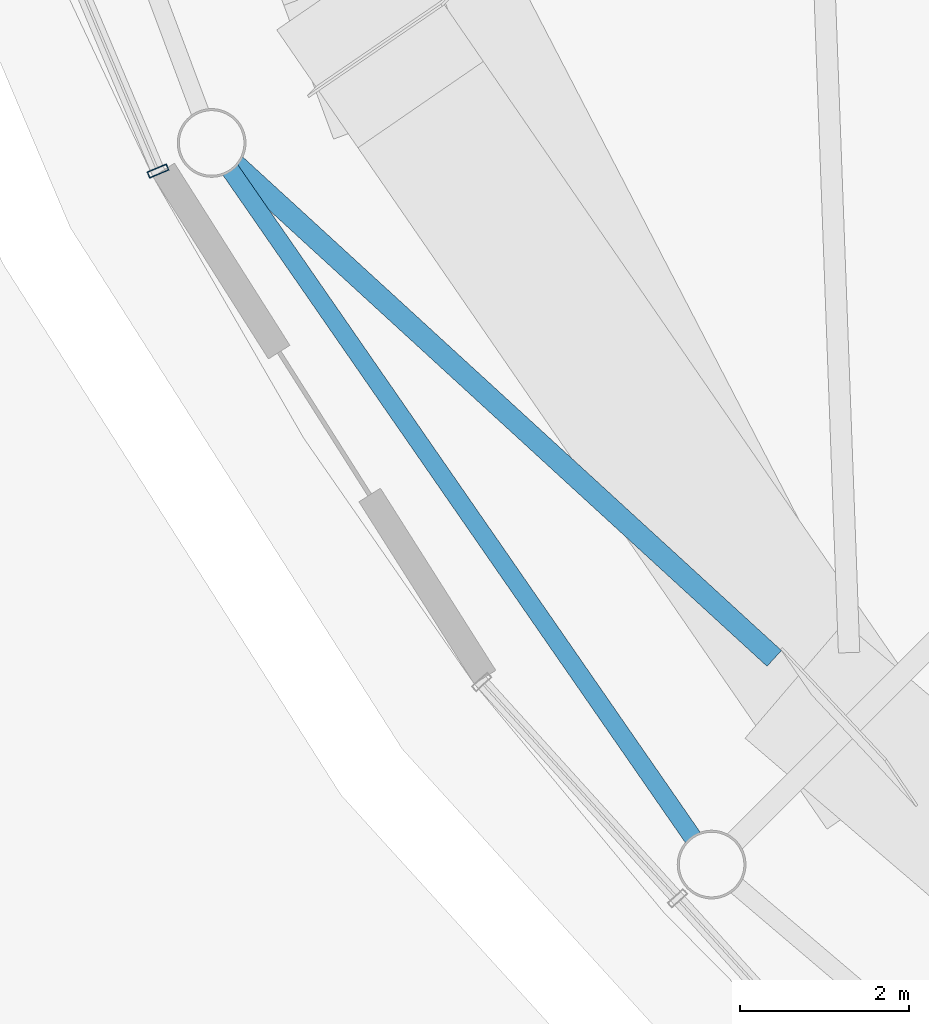
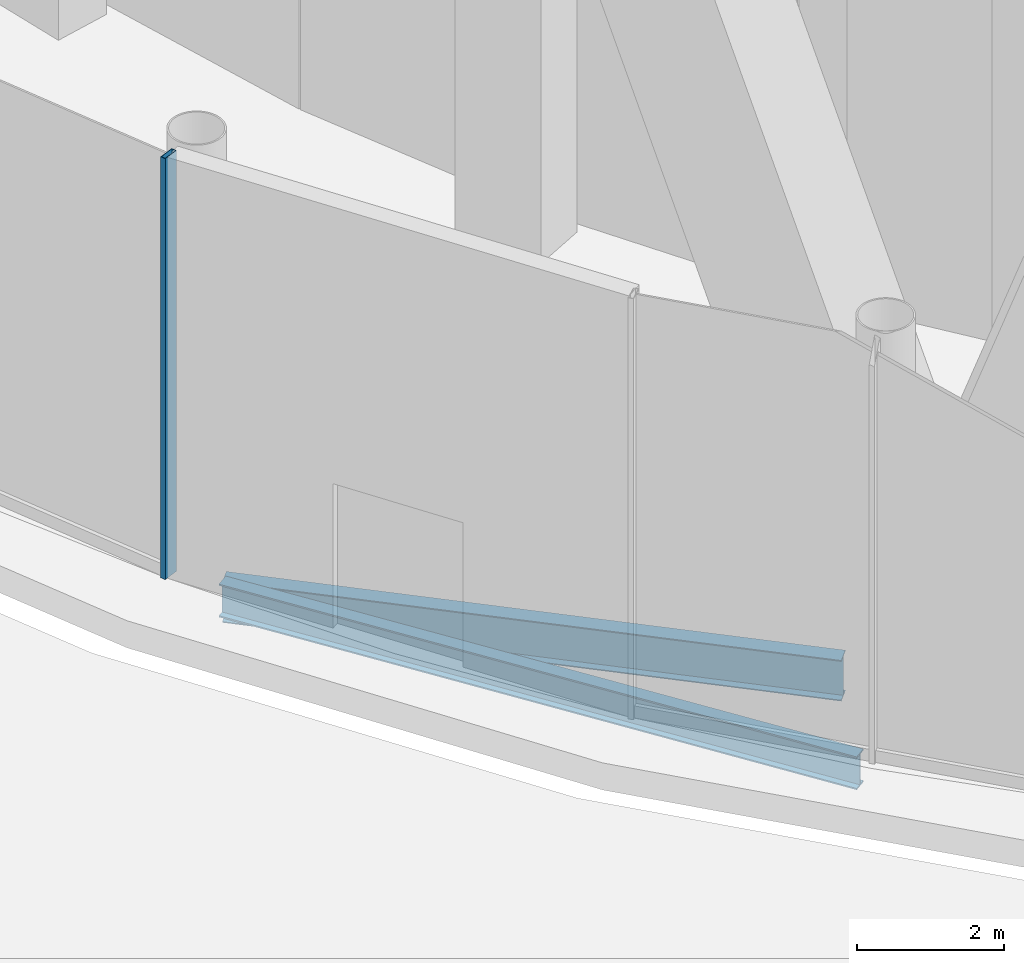
# One storey, part 6 of 67: 2 beams, 1 member, 1 element without a shape of its own.
"""IFC4 building model written with IfcOpenShell, lengths in metres."""

from ifc_helpers import new_model, si_unit, direction, frame, origin, origin_2d, place, context, subcontext, project, spatial, hollow_rectangle, i_section, extrude, material, layer, layer_set, material_profile, profile_set, type_object, element, aggregate, save


model = new_model("IFC4")

# Units and contexts
model_context = context("Model", 3, precision=1e-05, world=origin(), true_north=direction((0.0, 1.0)))
body_context = subcontext(model_context, "Body", "Model", "MODEL_VIEW")
ifc_project = project(units=[si_unit("LENGTHUNIT", "METRE"), si_unit("AREAUNIT", "SQUARE_METRE"), si_unit("VOLUMEUNIT", "CUBIC_METRE"), si_unit("PLANEANGLEUNIT", "RADIAN"), si_unit("MASSUNIT", "GRAM", prefix="KILO")], contexts=[model_context])

# Site, building, storey
site_placement = place(None, origin())
site = spatial("IfcSite", under=ifc_project, at=site_placement, CompositionType="ELEMENT")
building_placement = place(site_placement, origin())
building = spatial("IfcBuilding", under=site, at=building_placement, Name="Nagisa Residences", CompositionType="ELEMENT")
storey_placement = place(building_placement, origin())
storey = spatial("IfcBuildingStorey", under=building, at=storey_placement, Name="L00", CompositionType="ELEMENT", Elevation=0.0)

# Beams
ifc_material_1 = material(Name="Steel ASTM A572 Gr 50", Category="steel")
ifc_material_profile_1 = material_profile(ifc_material_1, i_section(OverallWidth=0.2529296875, OverallDepth=0.677978515625, WebThickness=0.01171875, FlangeThickness=0.016357421875, at=origin_2d()), Name="W690x125")
ifc_profile_set_1 = profile_set([ifc_material_profile_1], Name="Steel ASTM A572 Gr 50")
beam_type_1 = type_object("IfcBeamType", Name="Atrium outer beam W690x125", PredefinedType="BEAM", material=ifc_profile_set_1)
beam_1_placement = place(storey_placement, frame((-21.96337890625, -26.6953125, -0.739013671875), z_axis=(-0.737316053277, 0.675547953576, 0.0), x_axis=(-0.675547953576, -0.737316053277, 0.0)))
element("IfcBeam", 1, at=beam_1_placement, inside=storey, type_object=beam_type_1, Name="beam:L00:er15b", PredefinedType="BEAM", context=body_context, shape_type="SweptSolid", body=[
    extrude(i_section(OverallWidth=0.2529296875, OverallDepth=0.677978515625, WebThickness=0.01171875, FlangeThickness=0.016357421875, at=origin_2d()), origin(), (0.0, 0.0, 1.0), 8.63623046875),
])
ifc_material_2 = material(Name="Steel ASTM A572 Gr 50", Category="steel")
ifc_material_profile_2 = material_profile(ifc_material_2, i_section(OverallWidth=0.214111328125, OverallDepth=0.549072265625, WebThickness=0.0146484375, FlangeThickness=0.023681640625, at=origin_2d()), Name="W530x138")
ifc_profile_set_2 = profile_set([ifc_material_profile_2], Name="Steel ASTM A572 Gr 50")
beam_type_2 = type_object("IfcBeamType", Name="Atrium ring beam W530x138", PredefinedType="BEAM", material=ifc_profile_set_2)
beam_2_placement = place(storey_placement, frame((-28.39599609375, -20.917724609375, -0.674560546875), z_axis=(0.569488756983, -0.821999121453, 0.0), x_axis=(0.821999121453, 0.569488756983, 0.0)))
element("IfcBeam", 2, at=beam_2_placement, inside=storey, type_object=beam_type_2, Name="beam:L00:ab15", PredefinedType="BEAM", context=body_context, shape_type="SweptSolid", body=[
    extrude(i_section(OverallWidth=0.214111328125, OverallDepth=0.549072265625, WebThickness=0.0146484375, FlangeThickness=0.023681640625, at=origin_2d()), origin(), (0.0, 0.0, 1.0), 9.607666015625),
])

# Curtain wall, member
ifc_material_3 = material(Name="Stainless steel curtain wall system", Category="steel")
ifc_layer = layer(ifc_material_3, 0.159912109375)
ifc_layer_set = layer_set([ifc_layer], Name="CW3 CURTAIN WALL")
curtain_wall_type = type_object("IfcCurtainWallType", Name="CW3 CURTAIN WALL", PredefinedType="NOTDEFINED", material=ifc_layer_set)
curtain_wall_placement = place(storey_placement, origin())
curtain_wall = element("IfcCurtainWall", 3, at=curtain_wall_placement, inside=storey, type_object=curtain_wall_type, Name="cw:CW3:L00:20", PredefinedType="NOTDEFINED")
ifc_material_4 = material(Name="Stainless steel", Category="steel")
ifc_material_profile_3 = material_profile(ifc_material_4, hollow_rectangle(XDim=0.25, YDim=0.080078125, WallThickness=0.008056640625, at=origin_2d()), Name="CW3 MULLION 250x80")
ifc_profile_set_3 = profile_set([ifc_material_profile_3], Name="Stainless steel")
member_type = type_object("IfcMemberType", Name="CW3 MULLION 250x80", PredefinedType="MULLION", material=ifc_profile_set_3)
member_placement = place(storey_placement, frame((-29.250732421875, -20.93212890625, 0.0), z_axis=(0.0, 0.0, 1.0), x_axis=(0.921356767819, 0.388718029417, 0.0)))
member = element("IfcMember", 4, at=member_placement, type_object=member_type, Name="CW3 mullion", PredefinedType="MULLION", context=body_context, shape_type="SweptSolid", body=[
    extrude(hollow_rectangle(XDim=0.25, YDim=0.080078125, WallThickness=0.008056640625, at=origin_2d()), origin(), (0.0, 0.0, 1.0), 7.0),
])
aggregate(curtain_wall, [member])

save(model, "model.ifc")
